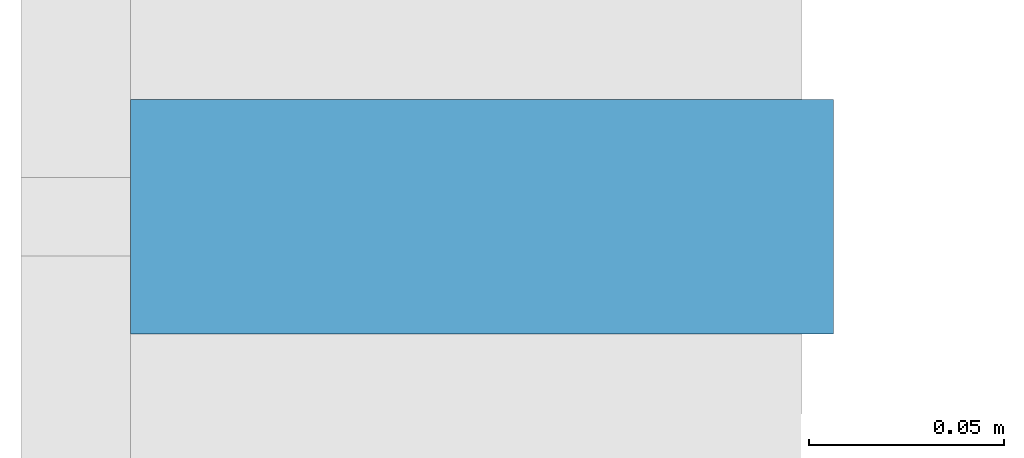
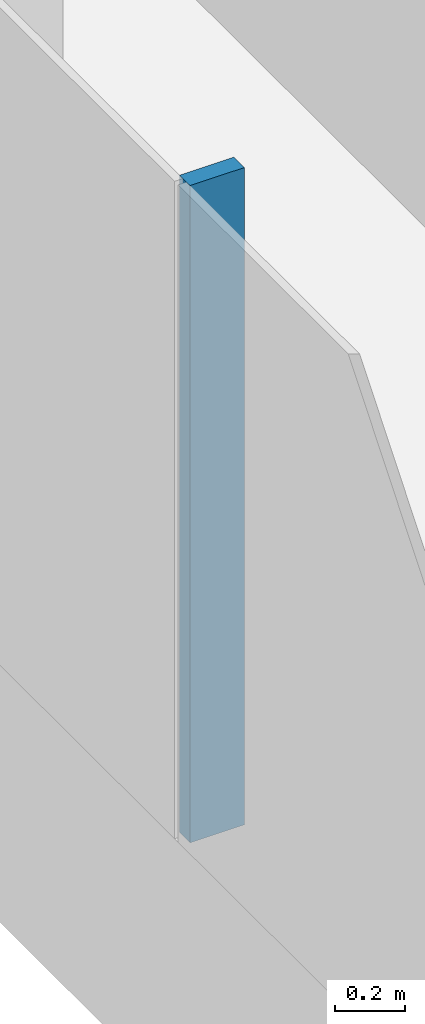
# One storey, part 4 of 36: 1 member, 1 element without a shape of its own.
"""IFC4 building model written with IfcOpenShell, lengths in metres."""

from ifc_helpers import new_model, si_unit, direction, frame, origin, origin_2d, place, context, subcontext, project, spatial, rectangle, extrude, material, layer, layer_set, material_profile, profile_set, type_object, element, aggregate, save


model = new_model("IFC4")

# Units and contexts
model_context = context("Model", 3, precision=1e-05, world=origin(), true_north=direction((0.0, 1.0)))
body_context = subcontext(model_context, "Body", "Model", "MODEL_VIEW")
ifc_project = project(units=[si_unit("LENGTHUNIT", "METRE"), si_unit("AREAUNIT", "SQUARE_METRE"), si_unit("VOLUMEUNIT", "CUBIC_METRE"), si_unit("PLANEANGLEUNIT", "RADIAN"), si_unit("MASSUNIT", "GRAM", prefix="KILO")], contexts=[model_context])

# Site, building, storey
site_placement = place(None, origin())
site = spatial("IfcSite", under=ifc_project, at=site_placement, CompositionType="ELEMENT")
building_placement = place(site_placement, origin())
building = spatial("IfcBuilding", under=site, at=building_placement, Name="Hakoniwa Tower and Hamabe Station Hall", CompositionType="ELEMENT")
storey_placement = place(building_placement, frame((0.0, 0.0, 26.199951171875)))
storey = spatial("IfcBuildingStorey", under=building, at=storey_placement, Name="L06", CompositionType="ELEMENT", Elevation=26.199951171875)

# Curtain wall, member
ifc_material_1 = material(Name="Dark low-e laminated glass", Category="glass")
ifc_layer = layer(ifc_material_1, 0.199951171875)
ifc_layer_set = layer_set([ifc_layer], Name="CW-1 UNITISED GUEST")
curtain_wall_type = type_object("IfcCurtainWallType", Name="CW-1 UNITISED GUEST", PredefinedType="NOTDEFINED", material=ifc_layer_set)
curtain_wall_placement = place(storey_placement, origin())
curtain_wall = element("IfcCurtainWall", 1, at=curtain_wall_placement, inside=storey, type_object=curtain_wall_type, Name="CW-1 curtain wall", PredefinedType="NOTDEFINED")
ifc_material_2 = material(Name="Aluminium 6063-T5 black anodised", Category="aluminium")
ifc_material_profile = material_profile(ifc_material_2, rectangle(XDim=0.06005859375, YDim=0.179931640625, at=origin_2d()), Name="CW-1 MULLION 60X180")
ifc_profile_set = profile_set([ifc_material_profile], Name="Aluminium 6063-T5 black anodised")
member_type = type_object("IfcMemberType", Name="CW-1 MULLION 60X180", PredefinedType="MULLION", material=ifc_profile_set)
member_placement = place(storey_placement, frame((-50.98193359375, 3.407958984375, 0.35009765625), z_axis=(0.0, 0.0, 1.0), x_axis=(0.0, -1.0, 0.0)))
member = element("IfcMember", 2, at=member_placement, type_object=member_type, Name="CW-1 mullion", PredefinedType="MULLION", context=body_context, shape_type="SweptSolid", body=[
    extrude(rectangle(XDim=0.06005859375, YDim=0.179931640625, at=origin_2d()), origin(), (0.0, 0.0, 1.0), 2.300048828125),
])
aggregate(curtain_wall, [member])

save(model, "model.ifc")
